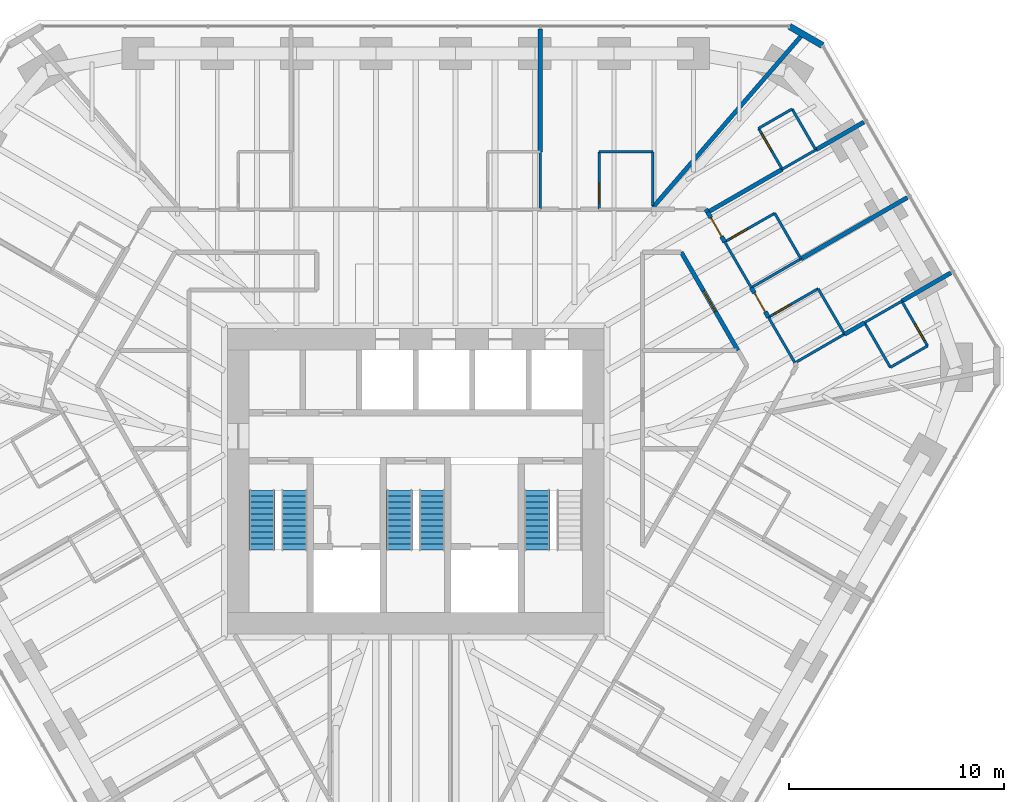
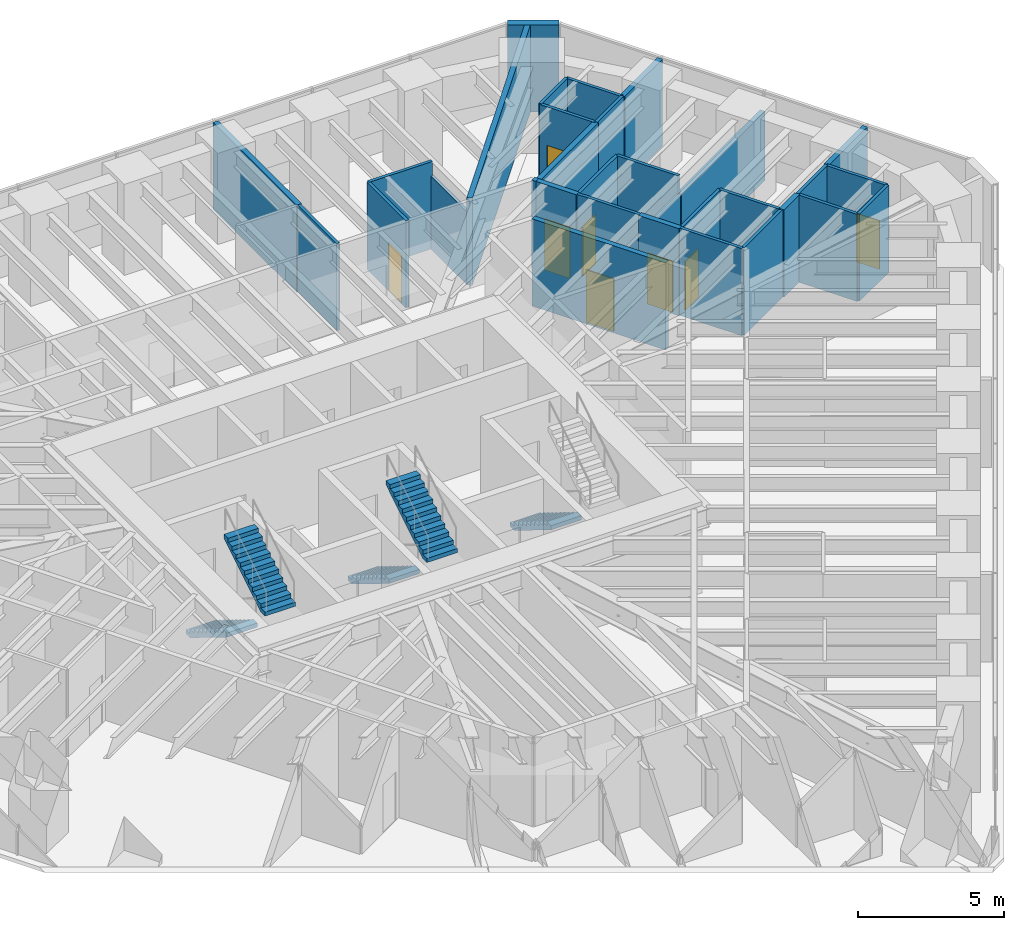
# One storey, part 15 of 17: 32 walls, 8 doors, 5 stair flights, 8 openings, 3 elements without a shape of their own.
"""IFC4 building model written with IfcOpenShell, lengths in metres."""

from ifc_helpers import new_model, si_unit, direction, frame, frame_2d, origin, place, context, subcontext, project, spatial, polyline, rectangle, outline, extrude, material, layer, layer_set, type_object, element, fill, aggregate, save


model = new_model("IFC4")

# Units and contexts
model_context = context("Model", 3, precision=1e-05, world=origin(), true_north=direction((0.0, 1.0)))
body_context = subcontext(model_context, "Body", "Model", "MODEL_VIEW")
ifc_project = project(units=[si_unit("LENGTHUNIT", "METRE"), si_unit("AREAUNIT", "SQUARE_METRE"), si_unit("VOLUMEUNIT", "CUBIC_METRE"), si_unit("PLANEANGLEUNIT", "RADIAN"), si_unit("MASSUNIT", "GRAM", prefix="KILO")], contexts=[model_context])

# Site, building, storey
site_placement = place(None, origin())
site = spatial("IfcSite", under=ifc_project, at=site_placement, CompositionType="ELEMENT")
building_placement = place(site_placement, origin())
building = spatial("IfcBuilding", under=site, at=building_placement, Name="Sandreach Pilgrim Tower", CompositionType="ELEMENT")
storey_placement = place(building_placement, frame((0.0, 0.0, 217.39990234375)))
storey = spatial("IfcBuildingStorey", under=building, at=storey_placement, Name="L54", CompositionType="ELEMENT", Elevation=217.39990234375)

# Wall
ifc_material_1 = material(Name="Moisture-resistant gypsum board on steel studs", Category="steel")
ifc_layer_1 = layer(ifc_material_1, 0.1201171875)
ifc_layer_set_1 = layer_set([ifc_layer_1], Name="Bathroom partition 120")
wall_type_1 = type_object("IfcWallType", Name="Bathroom partition 120", PredefinedType="PARTITIONING", material=ifc_layer_set_1)
wall_1_placement = place(storey_placement, frame((5.800048828125, 15.330078125, 0.0), z_axis=(0.0, 0.0, 1.0), x_axis=(0.0, -1.0, 0.0)))
element("IfcWall", 1, at=wall_1_placement, inside=storey, type_object=wall_type_1, Name="Bathroom partition L54-094", PredefinedType="PARTITIONING", context=body_context, shape_type="SweptSolid", body=[
    extrude(rectangle(XDim=2.670166015625, YDim=0.1201171875, at=frame_2d((1.3349609375, 0.0))), origin(), (0.0, 0.0, 1.0), 3.64013671875),
])

# Wall, opening, door
wall_2_placement = place(storey_placement, frame((8.530029296875, 15.330078125, 0.0), z_axis=(0.0, 0.0, 1.0), x_axis=(0.0, -1.0, 0.0)))
wall_2 = element("IfcWall", 2, at=wall_2_placement, inside=storey, type_object=wall_type_1, Name="Bathroom partition L54-104", PredefinedType="PARTITIONING", context=body_context, shape_type="SweptSolid", body=[
    extrude(rectangle(XDim=2.670166015625, YDim=0.1201171875, at=frame_2d((1.3349609375, 0.0))), origin(), (0.0, 0.0, 1.0), 3.64013671875),
])
opening_1_placement = place(wall_2_placement, frame((1.469970703125, 0.0, 0.0)))
opening_1 = element("IfcOpeningElement", 3, at=opening_1_placement, cuts=wall_2, Name="Opening D09-03B", PredefinedType="OPENING", context=body_context, shape_type="SweptSolid", body=[
    extrude(rectangle(XDim=0.89990234375, YDim=2.030029296875, at=frame_2d((0.449951171875, 1.01513671875))), frame((0.0, 0.06005859375, 0.0), z_axis=(0.0, -1.0, 0.0), x_axis=(1.0, 0.0, 0.0)), (0.0, 0.0, 1.0), 0.1201171875),
])
ifc_material_2 = material(Name="Timber door, steel frame", Category="steel")
door_type_1 = type_object("IfcDoorType", Name="Bathroom door", OperationType="SINGLE_SWING_LEFT", PredefinedType="DOOR", material=ifc_material_2)
door_1_placement = place(opening_1_placement, origin())
door_1 = element("IfcDoor", 4, at=door_1_placement, inside=storey, type_object=door_type_1, Name="Door 5403B", OperationType="SINGLE_SWING_RIGHT", OverallHeight=2.030029296875, OverallWidth=0.89990234375, PredefinedType="DOOR", context=body_context, shape_type="SweptSolid", body=[
    extrude(rectangle(XDim=0.89990234375, YDim=2.030029296875, at=frame_2d((0.449951171875, 1.01513671875))), frame((0.0, 0.02490234375, 0.0), z_axis=(0.0, -1.0, 0.0), x_axis=(1.0, 0.0, 0.0)), (0.0, 0.0, 1.0), 0.050048828125),
])
fill(opening_1, door_1)

# Walls
wall_3_placement = place(storey_placement, frame((11.030029296875, 12.830078125, 0.0), z_axis=(0.0, 0.0, 1.0), x_axis=(0.0, 1.0, 0.0)))
element("IfcWall", 5, at=wall_3_placement, inside=storey, type_object=wall_type_1, Name="Bathroom partition L54-115", PredefinedType="PARTITIONING", context=body_context, shape_type="SweptSolid", body=[
    extrude(rectangle(XDim=2.5, YDim=0.1201171875, at=frame_2d((1.25, 0.0))), origin(), (0.0, 0.0, 1.0), 3.0380859375),
])
wall_4_placement = place(storey_placement, frame((11.030029296875, 15.330078125, 0.0), z_axis=(0.0, 0.0, 1.0), x_axis=(-1.0, 0.0, 0.0)))
element("IfcWall", 6, at=wall_4_placement, inside=storey, type_object=wall_type_1, Name="Bathroom partition L54-116", PredefinedType="PARTITIONING", context=body_context, shape_type="SweptSolid", body=[
    extrude(rectangle(XDim=2.5, YDim=0.1201171875, at=frame_2d((1.25, 0.0))), origin(), (0.0, 0.0, 1.0), 3.64013671875),
])
wall_5_placement = place(storey_placement, frame((14.37548828125, 11.137451171875, 0.0), z_axis=(0.0, 0.0, 1.0), x_axis=(0.501931973027, -0.864907101632, 0.0)))
element("IfcWall", 7, at=wall_5_placement, inside=storey, type_object=wall_type_1, Name="Bathroom partition L54-126", PredefinedType="PARTITIONING", context=body_context, shape_type="SweptSolid", body=[
    extrude(rectangle(XDim=2.459716796875, YDim=0.1201171875, at=frame_2d((1.22998046875, 0.0))), origin(), (0.0, 0.0, 1.0), 3.64013671875),
])

# Wall, opening, door
wall_6_placement = place(storey_placement, frame((15.949951171875, 16.419921875, 0.0), z_axis=(0.0, 0.0, 1.0), x_axis=(0.501088872721, -0.865395829453, 0.0)))
wall_6 = element("IfcWall", 8, at=wall_6_placement, inside=storey, type_object=wall_type_1, Name="Bathroom partition L54-132", PredefinedType="PARTITIONING", context=body_context, shape_type="SweptSolid", body=[
    extrude(rectangle(XDim=2.1953125, YDim=0.1201171875, at=frame_2d((1.09765625, 0.0))), origin(), (0.0, 0.0, 1.0), 3.64013671875),
])
opening_2_placement = place(wall_6_placement, frame((0.300048828125, 0.0, 0.0)))
opening_2 = element("IfcOpeningElement", 9, at=opening_2_placement, cuts=wall_6, Name="Opening D09-04B", PredefinedType="OPENING", context=body_context, shape_type="SweptSolid", body=[
    extrude(rectangle(XDim=0.89990234375, YDim=2.030029296875, at=frame_2d((0.449951171875, 1.01513671875))), frame((0.0, 0.06005859375, 0.0), z_axis=(0.0, -1.0, 0.0), x_axis=(1.0, 0.0, 0.0)), (0.0, 0.0, 1.0), 0.1201171875),
])
door_2_placement = place(opening_2_placement, origin())
door_2 = element("IfcDoor", 10, at=door_2_placement, inside=storey, type_object=door_type_1, Name="Door 5404B", OperationType="SINGLE_SWING_LEFT", OverallHeight=2.030029296875, OverallWidth=0.89990234375, PredefinedType="DOOR", context=body_context, shape_type="SweptSolid", body=[
    extrude(rectangle(XDim=0.89990234375, YDim=2.030029296875, at=frame_2d((0.449951171875, 1.01513671875))), frame((0.0, 0.02490234375, 0.0), z_axis=(0.0, -1.0, 0.0), x_axis=(1.0, 0.0, 0.0)), (0.0, 0.0, 1.0), 0.050048828125),
])
fill(opening_2, door_2)

# Wall
wall_7_placement = place(storey_placement, frame((16.409912109375, 7.6298828125, 0.0), z_axis=(0.0, 0.0, 1.0), x_axis=(0.501856726365, -0.86495076519, 0.0)))
element("IfcWall", 11, at=wall_7_placement, inside=storey, type_object=wall_type_1, Name="Bathroom partition L54-136", PredefinedType="PARTITIONING", context=body_context, shape_type="SweptSolid", body=[
    extrude(rectangle(XDim=2.450927734375, YDim=0.1201171875, at=frame_2d((1.2255859375, 0.0))), origin(), (0.0, 0.0, 1.0), 3.64013671875),
])

# Wall, opening, door
wall_8_placement = place(storey_placement, frame((16.699951171875, 12.469970703125, 0.0), z_axis=(0.0, 0.0, 1.0), x_axis=(-0.867545659855, -0.497357545501, 0.0)))
wall_8 = element("IfcWall", 12, at=wall_8_placement, inside=storey, type_object=wall_type_1, Name="Bathroom partition L54-138", PredefinedType="PARTITIONING", context=body_context, shape_type="SweptSolid", body=[
    extrude(rectangle(XDim=2.67431640625, YDim=0.1201171875, at=frame_2d((1.337158203125, 0.0))), origin(), (0.0, 0.0, 1.0), 3.64013671875),
])
opening_3_placement = place(wall_8_placement, frame((1.47412109375, 0.0, 0.0)))
opening_3 = element("IfcOpeningElement", 13, at=opening_3_placement, cuts=wall_8, Name="Opening D09-05B", PredefinedType="OPENING", context=body_context, shape_type="SweptSolid", body=[
    extrude(rectangle(XDim=0.89990234375, YDim=2.030029296875, at=frame_2d((0.449951171875, 1.01513671875))), frame((0.0, 0.06005859375, 0.0), z_axis=(0.0, -1.0, 0.0), x_axis=(1.0, 0.0, 0.0)), (0.0, 0.0, 1.0), 0.1201171875),
])
door_3_placement = place(opening_3_placement, origin())
door_3 = element("IfcDoor", 14, at=door_3_placement, inside=storey, type_object=door_type_1, Name="Door 5405B", OperationType="SINGLE_SWING_RIGHT", OverallHeight=2.030029296875, OverallWidth=0.89990234375, PredefinedType="DOOR", context=body_context, shape_type="SweptSolid", body=[
    extrude(rectangle(XDim=0.89990234375, YDim=2.030029296875, at=frame_2d((0.449951171875, 1.01513671875))), frame((0.0, 0.02490234375, 0.0), z_axis=(0.0, -1.0, 0.0), x_axis=(1.0, 0.0, 0.0)), (0.0, 0.0, 1.0), 0.050048828125),
])
fill(opening_3, door_3)

# Walls
for number, where, z_axis, x_axis, name in (
    (15, (17.050048828125, 14.52001953125, 0.0), (0.0, 0.0, 1.0), (0.866670415019, 0.498881139883, 0.0), "Bathroom partition L54-139"),
    (16, (17.510009765625, 17.320068359375, 0.0), (0.0, 0.0, 1.0), (-0.866158505053, -0.499769390944, 0.0), "Bathroom partition L54-141"),
):
    element("IfcWall", number, at=place(storey_placement, frame(where, z_axis=z_axis, x_axis=x_axis)), inside=storey, type_object=wall_type_1, Name=name, PredefinedType="PARTITIONING", context=body_context, shape_type="SweptSolid", body=[
        extrude(rectangle(XDim=1.801025390625, YDim=0.1201171875, at=frame_2d((0.900390625, 0.0))), origin(), (0.0, 0.0, 1.0), 3.64013671875),
    ])
wall_9_placement = place(storey_placement, frame((17.639892578125, 5.510009765625, 0.0), z_axis=(0.0, 0.0, 1.0), x_axis=(0.86498992408, 0.501789229896, 0.0)))
element("IfcWall", 17, at=wall_9_placement, inside=storey, type_object=wall_type_1, Name="Bathroom partition L54-142", PredefinedType="PARTITIONING", context=body_context, shape_type="SweptSolid", body=[
    extrude(rectangle(XDim=2.670654296875, YDim=0.1201171875, at=frame_2d((1.33544921875, 0.0))), origin(), (0.0, 0.0, 1.0), 3.64013671875),
])
wall_10_placement = place(storey_placement, frame((17.919921875, 10.35009765625, 0.0), z_axis=(0.0, 0.0, 1.0), x_axis=(-0.864966903181, -0.501828911485, 0.0)))
element("IfcWall", 18, at=wall_10_placement, inside=storey, type_object=wall_type_1, Name="Bathroom partition L54-144", PredefinedType="PARTITIONING", context=body_context, shape_type="SweptSolid", body=[
    extrude(rectangle(XDim=2.67041015625, YDim=0.1201171875, at=frame_2d((1.335205078125, 0.0))), origin(), (0.0, 0.0, 1.0), 2.878173828125),
])
wall_11_placement = place(storey_placement, frame((17.919921875, 10.35009765625, 0.0), z_axis=(0.0, 0.0, 1.0), x_axis=(-0.498791783817, 0.866721844883, 0.0)))
element("IfcWall", 19, at=wall_11_placement, inside=storey, type_object=wall_type_1, Name="Bathroom partition L54-145", PredefinedType="PARTITIONING", context=body_context, shape_type="SweptSolid", body=[
    extrude(rectangle(XDim=2.44580078125, YDim=0.1201171875, at=frame_2d((1.222900390625, 0.0))), origin(), (0.0, 0.0, 1.0), 3.64013671875),
])
wall_12_placement = place(storey_placement, frame((18.610107421875, 15.419921875, 0.0), z_axis=(0.0, 0.0, 1.0), x_axis=(-0.501040653706, 0.865423747845, 0.0)))
element("IfcWall", 20, at=wall_12_placement, inside=storey, type_object=wall_type_1, Name="Bathroom partition L54-147", PredefinedType="PARTITIONING", context=body_context, shape_type="SweptSolid", body=[
    extrude(rectangle(XDim=2.195556640625, YDim=0.1201171875, at=frame_2d((1.09765625, 0.0))), origin(), (0.0, 0.0, 1.0), 3.64013671875),
])

# Wall, opening, door
wall_13_placement = place(storey_placement, frame((18.719970703125, 8.9599609375, 0.0), z_axis=(0.0, 0.0, 1.0), x_axis=(-0.866654860089, -0.498908161372, 0.0)))
wall_13 = element("IfcWall", 21, at=wall_13_placement, inside=storey, type_object=wall_type_1, Name="Bathroom partition L54-149", PredefinedType="PARTITIONING", context=body_context, shape_type="SweptSolid", body=[
    extrude(rectangle(XDim=2.66552734375, YDim=0.1201171875, at=frame_2d((1.332763671875, 0.0))), origin(), (0.0, 0.0, 1.0), 3.64013671875),
])
opening_4_placement = place(wall_13_placement, frame((1.465576171875, 0.0, 0.0)))
opening_4 = element("IfcOpeningElement", 22, at=opening_4_placement, cuts=wall_13, Name="Opening D09-06B", PredefinedType="OPENING", context=body_context, shape_type="SweptSolid", body=[
    extrude(rectangle(XDim=0.89990234375, YDim=2.030029296875, at=frame_2d((0.449951171875, 1.01513671875))), frame((0.0, 0.06005859375, 0.0), z_axis=(0.0, -1.0, 0.0), x_axis=(1.0, 0.0, 0.0)), (0.0, 0.0, 1.0), 0.1201171875),
])
door_4_placement = place(opening_4_placement, origin())
door_4 = element("IfcDoor", 23, at=door_4_placement, inside=storey, type_object=door_type_1, Name="Door 5406B", OperationType="SINGLE_SWING_RIGHT", OverallHeight=2.030029296875, OverallWidth=0.89990234375, PredefinedType="DOOR", context=body_context, shape_type="SweptSolid", body=[
    extrude(rectangle(XDim=0.89990234375, YDim=2.030029296875, at=frame_2d((0.449951171875, 1.01513671875))), frame((0.0, 0.02490234375, 0.0), z_axis=(0.0, -1.0, 0.0), x_axis=(1.0, 0.0, 0.0)), (0.0, 0.0, 1.0), 0.050048828125),
])
fill(opening_4, door_4)

# Walls
wall_14_placement = place(storey_placement, frame((19.949951171875, 6.85009765625, 0.0), z_axis=(0.0, 0.0, 1.0), x_axis=(-0.503634814725, 0.863916647251, 0.0)))
element("IfcWall", 24, at=wall_14_placement, inside=storey, type_object=wall_type_1, Name="Bathroom partition L54-150", PredefinedType="PARTITIONING", context=body_context, shape_type="SweptSolid", body=[
    extrude(rectangle(XDim=2.442138671875, YDim=0.1201171875, at=frame_2d((1.22119140625, 0.0))), origin(), (0.0, 0.0, 1.0), 3.64013671875),
])
wall_15_placement = place(storey_placement, frame((20.878173828125, 7.383056640625, 0.0), z_axis=(0.0, 0.0, 1.0), x_axis=(0.866697688948, 0.498833755847, 0.0)))
element("IfcWall", 25, at=wall_15_placement, inside=storey, type_object=wall_type_1, Name="Bathroom partition L54-151", PredefinedType="PARTITIONING", context=body_context, shape_type="SweptSolid", body=[
    extrude(rectangle(XDim=1.998291015625, YDim=0.1201171875, at=frame_2d((0.9990234375, 0.0))), origin(), (0.0, 0.0, 1.0), 3.64013671875),
])
wall_16_placement = place(storey_placement, frame((20.8798828125, 7.3798828125, 0.0), z_axis=(0.0, 0.0, 1.0), x_axis=(0.499813401482, -0.866133109688, 0.0)))
element("IfcWall", 26, at=wall_16_placement, inside=storey, type_object=wall_type_1, Name="Bathroom partition L54-153", PredefinedType="PARTITIONING", context=body_context, shape_type="SweptSolid", body=[
    extrude(rectangle(XDim=2.4013671875, YDim=0.1201171875, at=frame_2d((1.20068359375, 0.0))), origin(), (0.0, 0.0, 1.0), 3.64013671875),
])
wall_17_placement = place(storey_placement, frame((22.080078125, 5.300048828125, 0.0), z_axis=(0.0, 0.0, 1.0), x_axis=(0.865766263046, 0.50044857655, 0.0)))
element("IfcWall", 27, at=wall_17_placement, inside=storey, type_object=wall_type_1, Name="Bathroom partition L54-154", PredefinedType="PARTITIONING", context=body_context, shape_type="SweptSolid", body=[
    extrude(rectangle(XDim=1.998291015625, YDim=0.1201171875, at=frame_2d((0.9990234375, 0.0))), origin(), (0.0, 0.0, 1.0), 3.64013671875),
])

# Wall, opening, door
wall_18_placement = place(storey_placement, frame((23.81005859375, 6.300048828125, 0.0), z_axis=(0.0, 0.0, 1.0), x_axis=(-0.499737123639, 0.866177122335, 0.0)))
wall_18 = element("IfcWall", 28, at=wall_18_placement, inside=storey, type_object=wall_type_1, Name="Bathroom partition L54-156", PredefinedType="PARTITIONING", context=body_context, shape_type="SweptSolid", body=[
    extrude(rectangle(XDim=2.401123046875, YDim=0.1201171875, at=frame_2d((1.20068359375, 0.0))), origin(), (0.0, 0.0, 1.0), 3.64013671875),
])
opening_5_placement = place(wall_18_placement, frame((0.300048828125, 0.0, 0.0)))
opening_5 = element("IfcOpeningElement", 29, at=opening_5_placement, cuts=wall_18, Name="Opening D09-07B", PredefinedType="OPENING", context=body_context, shape_type="SweptSolid", body=[
    extrude(rectangle(XDim=0.89990234375, YDim=2.030029296875, at=frame_2d((0.449951171875, 1.01513671875))), frame((0.0, 0.06005859375, 0.0), z_axis=(0.0, -1.0, 0.0), x_axis=(1.0, 0.0, 0.0)), (0.0, 0.0, 1.0), 0.1201171875),
])
door_5_placement = place(opening_5_placement, origin())
door_5 = element("IfcDoor", 30, at=door_5_placement, inside=storey, type_object=door_type_1, Name="Door 5407B", OperationType="SINGLE_SWING_LEFT", OverallHeight=2.030029296875, OverallWidth=0.89990234375, PredefinedType="DOOR", context=body_context, shape_type="SweptSolid", body=[
    extrude(rectangle(XDim=0.89990234375, YDim=2.030029296875, at=frame_2d((0.449951171875, 1.01513671875))), frame((0.0, 0.02490234375, 0.0), z_axis=(0.0, -1.0, 0.0), x_axis=(1.0, 0.0, 0.0)), (0.0, 0.0, 1.0), 0.050048828125),
])
fill(opening_5, door_5)

ifc_material_3 = material(Name="Gypsum board on steel studs, two layers each side", Category="steel")
ifc_layer_2 = layer(ifc_material_3, 0.199951171875)
ifc_layer_set_2 = layer_set([ifc_layer_2], Name="Corridor wall 200")
wall_type_2 = type_object("IfcWallType", Name="Corridor wall 200", PredefinedType="PARTITIONING", material=ifc_layer_set_2)
wall_19_placement = place(storey_placement, frame((12.35009765625, 10.659912109375, 0.0), z_axis=(0.0, 0.0, 1.0), x_axis=(0.500213626659, -0.86590203124, 0.0)))
wall_19 = element("IfcWall", 31, at=wall_19_placement, inside=storey, type_object=wall_type_2, Name="Corridor wall L54-119", PredefinedType="PARTITIONING", context=body_context, shape_type="SweptSolid", body=[
    extrude(rectangle(XDim=5.277587890625, YDim=0.199951171875, at=frame_2d((2.638671875, 0.0))), origin(), (0.0, 0.0, 1.0), 3.64013671875),
])
opening_6_placement = place(wall_19_placement, frame((2.0888671875, 0.0, 0.0)))
opening_6 = element("IfcOpeningElement", 32, at=opening_6_placement, cuts=wall_19, Name="Opening D11H-M05", PredefinedType="OPENING", context=body_context, shape_type="SweptSolid", body=[
    extrude(rectangle(XDim=1.10009765625, YDim=2.199951171875, at=frame_2d((0.550048828125, 1.10009765625))), frame((0.0, 0.10009765625, 0.0), z_axis=(0.0, -1.0, 0.0), x_axis=(1.0, 0.0, 0.0)), (0.0, 0.0, 1.0), 0.199951171875),
])
ifc_material_4 = material(Name="Steel door and frame", Category="steel")
door_type_2 = type_object("IfcDoorType", Name="Back of house door", OperationType="SINGLE_SWING_LEFT", PredefinedType="DOOR", material=ifc_material_4)
door_6_placement = place(opening_6_placement, origin())
door_6 = element("IfcDoor", 33, at=door_6_placement, inside=storey, type_object=door_type_2, Name="Door 54M05", OperationType="SINGLE_SWING_LEFT", OverallHeight=2.199951171875, OverallWidth=1.10009765625, PredefinedType="DOOR", context=body_context, shape_type="SweptSolid", body=[
    extrude(rectangle(XDim=1.10009765625, YDim=2.199951171875, at=frame_2d((0.550048828125, 1.10009765625))), frame((0.0, 0.02490234375, 0.0), z_axis=(0.0, -1.0, 0.0), x_axis=(1.0, 0.0, 0.0)), (0.0, 0.0, 1.0), 0.050048828125),
])
fill(opening_6, door_6)

# Wall
wall_20_placement = place(storey_placement, frame((13.5, 12.659912109375, 0.0), z_axis=(0.0, 0.0, 1.0), x_axis=(0.498194987799, -0.867065023013, 0.0)))
element("IfcWall", 34, at=wall_20_placement, inside=storey, type_object=wall_type_2, Name="Corridor wall L54-122", PredefinedType="PARTITIONING", context=body_context, shape_type="SweptSolid", body=[
    extrude(rectangle(XDim=0.166015625, YDim=0.199951171875, at=frame_2d((0.0830078125, 0.0))), origin(), (0.0, 0.0, 1.0), 3.64013671875),
])

# Wall, opening, door
wall_21_placement = place(storey_placement, frame((13.582763671875, 12.515869140625, 0.0), z_axis=(0.0, 0.0, 1.0), x_axis=(0.498534585837, -0.866869809559, 0.0)))
wall_21 = element("IfcWall", 35, at=wall_21_placement, inside=storey, type_object=wall_type_2, Name="Corridor wall L54-123", PredefinedType="PARTITIONING", context=body_context, shape_type="SweptSolid", body=[
    extrude(rectangle(XDim=1.590087890625, YDim=0.199951171875, at=frame_2d((0.794921875, 0.0))), origin(), (0.0, 0.0, 1.0), 3.64013671875),
])
opening_7_placement = place(wall_21_placement, frame((0.295166015625, 0.0, 0.0)))
opening_7 = element("IfcOpeningElement", 36, at=opening_7_placement, cuts=wall_21, Name="Opening D10-05", PredefinedType="OPENING", context=body_context, shape_type="SweptSolid", body=[
    extrude(rectangle(XDim=1.0, YDim=2.1298828125, at=frame_2d((0.5, 1.06494140625))), frame((0.0, 0.10009765625, 0.0), z_axis=(0.0, -1.0, 0.0), x_axis=(1.0, 0.0, 0.0)), (0.0, 0.0, 1.0), 0.199951171875),
])
ifc_material_5 = material(Name="Steel door and frame", Category="steel")
door_type_3 = type_object("IfcDoorType", Name="Guest room entry door", OperationType="SINGLE_SWING_LEFT", PredefinedType="DOOR", material=ifc_material_5)
door_7_placement = place(opening_7_placement, origin())
door_7 = element("IfcDoor", 37, at=door_7_placement, inside=storey, type_object=door_type_3, Name="Door 5405", OperationType="SINGLE_SWING_LEFT", OverallHeight=2.1298828125, OverallWidth=1.0, PredefinedType="DOOR", context=body_context, shape_type="SweptSolid", body=[
    extrude(rectangle(XDim=1.0, YDim=2.1298828125, at=frame_2d((0.5, 1.06494140625))), frame((0.0, 0.02490234375, 0.0), z_axis=(0.0, -1.0, 0.0), x_axis=(1.0, 0.0, 0.0)), (0.0, 0.0, 1.0), 0.050048828125),
])
fill(opening_7, door_7)

wall_22_placement = place(storey_placement, frame((15.610107421875, 9.010009765625, 0.0), z_axis=(0.0, 0.0, 1.0), x_axis=(0.5014706583, -0.865174652232, 0.0)))
wall_22 = element("IfcWall", 38, at=wall_22_placement, inside=storey, type_object=wall_type_2, Name="Corridor wall L54-131", PredefinedType="PARTITIONING", context=body_context, shape_type="SweptSolid", body=[
    extrude(rectangle(XDim=1.594970703125, YDim=0.199951171875, at=frame_2d((0.79736328125, 0.0))), origin(), (0.0, 0.0, 1.0), 3.64013671875),
])
opening_8_placement = place(wall_22_placement, frame((0.297607421875, 0.0, 0.0)))
opening_8 = element("IfcOpeningElement", 39, at=opening_8_placement, cuts=wall_22, Name="Opening D10-06", PredefinedType="OPENING", context=body_context, shape_type="SweptSolid", body=[
    extrude(rectangle(XDim=1.0, YDim=2.1298828125, at=frame_2d((0.5, 1.06494140625))), frame((0.0, 0.10009765625, 0.0), z_axis=(0.0, -1.0, 0.0), x_axis=(1.0, 0.0, 0.0)), (0.0, 0.0, 1.0), 0.199951171875),
])
door_8_placement = place(opening_8_placement, origin())
door_8 = element("IfcDoor", 40, at=door_8_placement, inside=storey, type_object=door_type_3, Name="Door 5406", OperationType="SINGLE_SWING_LEFT", OverallHeight=2.1298828125, OverallWidth=1.0, PredefinedType="DOOR", context=body_context, shape_type="SweptSolid", body=[
    extrude(rectangle(XDim=1.0, YDim=2.1298828125, at=frame_2d((0.5, 1.06494140625))), frame((0.0, 0.02490234375, 0.0), z_axis=(0.0, -1.0, 0.0), x_axis=(1.0, 0.0, 0.0)), (0.0, 0.0, 1.0), 0.050048828125),
])
fill(opening_8, door_8)

# Walls
ifc_material_6 = material(Name="Double steel stud acoustic wall, gypsum board", Category="steel")
ifc_layer_3 = layer(ifc_material_6, 0.199951171875)
ifc_layer_set_3 = layer_set([ifc_layer_3], Name="Party wall 200")
wall_type_3 = type_object("IfcWallType", Name="Party wall 200", PredefinedType="PARTITIONING", material=ifc_layer_set_3)
wall_23_placement = place(storey_placement, frame((5.800048828125, 21.0400390625, 0.0), z_axis=(0.0, 0.0, 1.0), x_axis=(0.0, -1.0, 0.0)))
element("IfcWall", 41, at=wall_23_placement, inside=storey, type_object=wall_type_3, Name="Party wall L54-095", PredefinedType="PARTITIONING", context=body_context, shape_type="SweptSolid", body=[
    extrude(rectangle(XDim=5.7099609375, YDim=0.199951171875, at=frame_2d((2.85498046875, 0.0))), origin(), (0.0, 0.0, 1.0), 3.64013671875),
])
wall_24_placement = place(storey_placement, frame((11.039794921875, 12.751220703125, 0.0), z_axis=(0.0, 0.0, 1.0), x_axis=(0.654384042683, 0.756162366613, 0.0)))
element("IfcWall", 42, at=wall_24_placement, inside=storey, type_object=wall_type_3, Name="Party wall L54-117", PredefinedType="PARTITIONING", context=body_context, shape_type="SweptSolid", body=[
    extrude(rectangle(XDim=10.667236328125, YDim=0.199951171875, at=frame_2d((5.33349609375, 0.0))), origin(), (0.0, 0.0, 1.0), 3.64013671875),
])
wall_25_placement = place(storey_placement, frame((13.59423828125, 12.5224609375, 0.0), z_axis=(0.0, 0.0, 1.0), x_axis=(0.866085778049, 0.499895414124, 0.0)))
element("IfcWall", 43, at=wall_25_placement, inside=storey, type_object=wall_type_3, Name="Party wall L54-124", PredefinedType="PARTITIONING", context=body_context, shape_type="SweptSolid", body=[
    extrude(rectangle(XDim=3.991455078125, YDim=0.199951171875, at=frame_2d((1.99560546875, 0.0))), origin(), (0.0, 0.0, 1.0), 3.64013671875),
])
wall_26_placement = place(storey_placement, frame((17.922607421875, 10.345458984375, 0.0), z_axis=(0.0, 0.0, 1.0), x_axis=(0.865991848905, 0.500058114253, 0.0)))
element("IfcWall", 44, at=wall_26_placement, inside=storey, type_object=wall_type_3, Name="Party wall L54-146", PredefinedType="PARTITIONING", context=body_context, shape_type="SweptSolid", body=[
    extrude(rectangle(XDim=5.708251953125, YDim=0.199951171875, at=frame_2d((2.85400390625, 0.0))), origin(), (0.0, 0.0, 1.0), 2.878173828125),
])
wall_27_placement = place(storey_placement, frame((18.61083984375, 15.41845703125, 0.0), z_axis=(0.0, 0.0, 1.0), x_axis=(0.865870535136, 0.500268144481, 0.0)))
element("IfcWall", 45, at=wall_27_placement, inside=storey, type_object=wall_type_3, Name="Party wall L54-148", PredefinedType="PARTITIONING", context=body_context, shape_type="SweptSolid", body=[
    extrude(rectangle(XDim=2.58154296875, YDim=0.199951171875, at=frame_2d((1.290771484375, 0.0))), origin(), (0.0, 0.0, 1.0), 3.64013671875),
])
wall_28_placement = place(storey_placement, frame((20.8798828125, 7.3798828125, 0.0), z_axis=(0.0, 0.0, 1.0), x_axis=(-0.864855730486, -0.502020483094, 0.0)))
element("IfcWall", 46, at=wall_28_placement, inside=storey, type_object=wall_type_3, Name="Party wall L54-152", PredefinedType="PARTITIONING", context=body_context, shape_type="SweptSolid", body=[
    extrude(rectangle(XDim=1.0751953125, YDim=0.199951171875, at=frame_2d((0.53759765625, 0.0))), origin(), (0.0, 0.0, 1.0), 3.64013671875),
])
wall_29_placement = place(storey_placement, frame((22.610107421875, 8.3798828125, 0.0), z_axis=(0.0, 0.0, 1.0), x_axis=(0.865974560031, 0.500088053625, 0.0)))
element("IfcWall", 47, at=wall_29_placement, inside=storey, type_object=wall_type_3, Name="Party wall L54-155", PredefinedType="PARTITIONING", context=body_context, shape_type="SweptSolid", body=[
    extrude(rectangle(XDim=2.6396484375, YDim=0.199951171875, at=frame_2d((1.31982421875, 0.0))), origin(), (0.0, 0.0, 1.0), 3.64013671875),
])
ifc_material_7 = material(Name="Terracotta rainscreen on concrete", Category="masonry")
ifc_layer_4 = layer(ifc_material_7, 0.300048828125)
ifc_layer_set_4 = layer_set([ifc_layer_4], Name="Terracotta chamfer pier")
wall_type_4 = type_object("IfcWallType", Name="Terracotta chamfer pier", PredefinedType="SOLIDWALL", material=ifc_layer_set_4)
wall_30_placement = place(storey_placement, frame((17.389892578125, 21.16015625, 0.0), z_axis=(0.0, 0.0, 1.0), x_axis=(0.866036293601, -0.499981137809, 0.0)))
element("IfcWall", 48, at=wall_30_placement, inside=storey, type_object=wall_type_4, Name="Chamfer pier L54 N", PredefinedType="SOLIDWALL", context=body_context, shape_type="SweptSolid", body=[
    extrude(rectangle(XDim=1.77001953125, YDim=0.300048828125, at=frame_2d((0.885009765625, 0.0))), origin(), (0.0, 0.0, 1.0), 3.64013671875),
])

# Stair, stair flights
ifc_material_8 = material(Name="Concrete 8000 psi", Category="concrete")
stair_type = type_object("IfcStairType", Name="Core exit stair", PredefinedType="HALF_TURN_STAIR", material=ifc_material_8)
stair_1_placement = place(storey_placement, origin())
stair_1 = element("IfcStair", 49, at=stair_1_placement, inside=storey, type_object=stair_type, Name="Exit stair ST1 L54", PredefinedType="HALF_TURN_STAIR")
ifc_material_9 = material(Name="Concrete 8000 psi", Category="concrete")
stair_flight_type = type_object("IfcStairFlightType", Name="Core stair flight 1200", PredefinedType="STRAIGHT", material=ifc_material_9)
stair_flight_1_placement = place(storey_placement, frame((-7.14990234375, -0.39990234375, 0.0), z_axis=(0.0, 0.0, 1.0), x_axis=(0.0, -1.0, 0.0)))
stair_flight_1 = element("IfcStairFlight", 50, at=stair_flight_1_placement, type_object=stair_flight_type, Name="ST1 flight 1", NumberOfRisers=11, NumberOfTreads=10, PredefinedType="STRAIGHT", RiserHeight=0.172727273, TreadLength=0.28, context=body_context, shape_type="SweptSolid", body=[
    extrude(outline(polyline([(0.0, 0.0), (0.0, 0.172607421875), (0.280029296875, 0.172607421875), (0.280029296875, 0.345458984375), (0.56005859375, 0.345458984375), (0.56005859375, 0.51806640625), (0.840087890625, 0.51806640625), (0.840087890625, 0.69091796875), (1.1201171875, 0.69091796875), (1.1201171875, 0.863525390625), (1.39990234375, 0.863525390625), (1.39990234375, 1.036376953125), (1.679931640625, 1.036376953125), (1.679931640625, 1.208984375), (1.9599609375, 1.208984375), (1.9599609375, 1.3818359375), (2.239990234375, 1.3818359375), (2.239990234375, 1.554443359375), (2.52001953125, 1.554443359375), (2.52001953125, 1.727294921875), (2.800048828125, 1.727294921875), (2.800048828125, 1.89990234375), (2.800048828125, 1.551025390625), (0.285400390625, 0.0), (0.0, 0.0)])), frame((0.0, 0.60009765625, 0.0), z_axis=(0.0, -1.0, 0.0), x_axis=(1.0, 0.0, 0.0)), (0.0, 0.0, 1.0), 1.199951171875),
])
stair_flight_2_placement = place(storey_placement, frame((-5.64990234375, -3.199951171875, 1.900146484375), z_axis=(0.0, 0.0, 1.0), x_axis=(0.0, 1.0, 0.0)))
stair_flight_2 = element("IfcStairFlight", 51, at=stair_flight_2_placement, type_object=stair_flight_type, Name="ST1 flight 2", NumberOfRisers=11, NumberOfTreads=10, PredefinedType="STRAIGHT", RiserHeight=0.172727273, TreadLength=0.28, context=body_context, shape_type="SweptSolid", body=[
    extrude(outline(polyline([(0.0, 0.0), (0.0, 0.172607421875), (0.280029296875, 0.172607421875), (0.280029296875, 0.345458984375), (0.56005859375, 0.345458984375), (0.56005859375, 0.51806640625), (0.840087890625, 0.51806640625), (0.840087890625, 0.69091796875), (1.1201171875, 0.69091796875), (1.1201171875, 0.863525390625), (1.39990234375, 0.863525390625), (1.39990234375, 1.036376953125), (1.679931640625, 1.036376953125), (1.679931640625, 1.208984375), (1.9599609375, 1.208984375), (1.9599609375, 1.3818359375), (2.239990234375, 1.3818359375), (2.239990234375, 1.554443359375), (2.52001953125, 1.554443359375), (2.52001953125, 1.727294921875), (2.800048828125, 1.727294921875), (2.800048828125, 1.89990234375), (2.800048828125, 1.551025390625), (0.285400390625, 0.0), (0.0, 0.0)])), frame((0.0, 0.60009765625, 0.0), z_axis=(0.0, -1.0, 0.0), x_axis=(1.0, 0.0, 0.0)), (0.0, 0.0, 1.0), 1.199951171875),
])
aggregate(stair_1, [stair_flight_1, stair_flight_2])

stair_2_placement = place(storey_placement, origin())
stair_2 = element("IfcStair", 52, at=stair_2_placement, inside=storey, type_object=stair_type, Name="Exit stair ST3 L54", PredefinedType="HALF_TURN_STAIR")
stair_flight_3_placement = place(storey_placement, frame((-0.75, -0.39990234375, 0.0), z_axis=(0.0, 0.0, 1.0), x_axis=(0.0, -1.0, 0.0)))
stair_flight_3 = element("IfcStairFlight", 53, at=stair_flight_3_placement, type_object=stair_flight_type, Name="ST3 flight 1", NumberOfRisers=11, NumberOfTreads=10, PredefinedType="STRAIGHT", RiserHeight=0.172727273, TreadLength=0.28, context=body_context, shape_type="SweptSolid", body=[
    extrude(outline(polyline([(0.0, 0.0), (0.0, 0.172607421875), (0.280029296875, 0.172607421875), (0.280029296875, 0.345458984375), (0.56005859375, 0.345458984375), (0.56005859375, 0.51806640625), (0.840087890625, 0.51806640625), (0.840087890625, 0.69091796875), (1.1201171875, 0.69091796875), (1.1201171875, 0.863525390625), (1.39990234375, 0.863525390625), (1.39990234375, 1.036376953125), (1.679931640625, 1.036376953125), (1.679931640625, 1.208984375), (1.9599609375, 1.208984375), (1.9599609375, 1.3818359375), (2.239990234375, 1.3818359375), (2.239990234375, 1.554443359375), (2.52001953125, 1.554443359375), (2.52001953125, 1.727294921875), (2.800048828125, 1.727294921875), (2.800048828125, 1.89990234375), (2.800048828125, 1.551025390625), (0.285400390625, 0.0), (0.0, 0.0)])), frame((0.0, 0.60009765625, 0.0), z_axis=(0.0, -1.0, 0.0), x_axis=(1.0, 0.0, 0.0)), (0.0, 0.0, 1.0), 1.199951171875),
])
stair_flight_4_placement = place(storey_placement, frame((0.75, -3.199951171875, 1.900146484375), z_axis=(0.0, 0.0, 1.0), x_axis=(0.0, 1.0, 0.0)))
stair_flight_4 = element("IfcStairFlight", 54, at=stair_flight_4_placement, type_object=stair_flight_type, Name="ST3 flight 2", NumberOfRisers=11, NumberOfTreads=10, PredefinedType="STRAIGHT", RiserHeight=0.172727273, TreadLength=0.28, context=body_context, shape_type="SweptSolid", body=[
    extrude(outline(polyline([(0.0, 0.0), (0.0, 0.172607421875), (0.280029296875, 0.172607421875), (0.280029296875, 0.345458984375), (0.56005859375, 0.345458984375), (0.56005859375, 0.51806640625), (0.840087890625, 0.51806640625), (0.840087890625, 0.69091796875), (1.1201171875, 0.69091796875), (1.1201171875, 0.863525390625), (1.39990234375, 0.863525390625), (1.39990234375, 1.036376953125), (1.679931640625, 1.036376953125), (1.679931640625, 1.208984375), (1.9599609375, 1.208984375), (1.9599609375, 1.3818359375), (2.239990234375, 1.3818359375), (2.239990234375, 1.554443359375), (2.52001953125, 1.554443359375), (2.52001953125, 1.727294921875), (2.800048828125, 1.727294921875), (2.800048828125, 1.89990234375), (2.800048828125, 1.551025390625), (0.285400390625, 0.0), (0.0, 0.0)])), frame((0.0, 0.60009765625, 0.0), z_axis=(0.0, -1.0, 0.0), x_axis=(1.0, 0.0, 0.0)), (0.0, 0.0, 1.0), 1.199951171875),
])
aggregate(stair_2, [stair_flight_3, stair_flight_4])

# Stair, stair flight
stair_3_placement = place(storey_placement, origin())
stair_3 = element("IfcStair", 55, at=stair_3_placement, inside=storey, type_object=stair_type, Name="Exit stair ST2 L54", PredefinedType="HALF_TURN_STAIR")
stair_flight_5_placement = place(storey_placement, frame((5.64990234375, -0.39990234375, 0.0), z_axis=(0.0, 0.0, 1.0), x_axis=(0.0, -1.0, 0.0)))
stair_flight_5 = element("IfcStairFlight", 56, at=stair_flight_5_placement, type_object=stair_flight_type, Name="ST2 flight 1", NumberOfRisers=11, NumberOfTreads=10, PredefinedType="STRAIGHT", RiserHeight=0.172727273, TreadLength=0.28, context=body_context, shape_type="SweptSolid", body=[
    extrude(outline(polyline([(0.0, 0.0), (0.0, 0.172607421875), (0.280029296875, 0.172607421875), (0.280029296875, 0.345458984375), (0.56005859375, 0.345458984375), (0.56005859375, 0.51806640625), (0.840087890625, 0.51806640625), (0.840087890625, 0.69091796875), (1.1201171875, 0.69091796875), (1.1201171875, 0.863525390625), (1.39990234375, 0.863525390625), (1.39990234375, 1.036376953125), (1.679931640625, 1.036376953125), (1.679931640625, 1.208984375), (1.9599609375, 1.208984375), (1.9599609375, 1.3818359375), (2.239990234375, 1.3818359375), (2.239990234375, 1.554443359375), (2.52001953125, 1.554443359375), (2.52001953125, 1.727294921875), (2.800048828125, 1.727294921875), (2.800048828125, 1.89990234375), (2.800048828125, 1.551025390625), (0.285400390625, 0.0), (0.0, 0.0)])), frame((0.0, 0.60009765625, 0.0), z_axis=(0.0, -1.0, 0.0), x_axis=(1.0, 0.0, 0.0)), (0.0, 0.0, 1.0), 1.199951171875),
])
aggregate(stair_3, [stair_flight_5])

save(model, "model.ifc")
